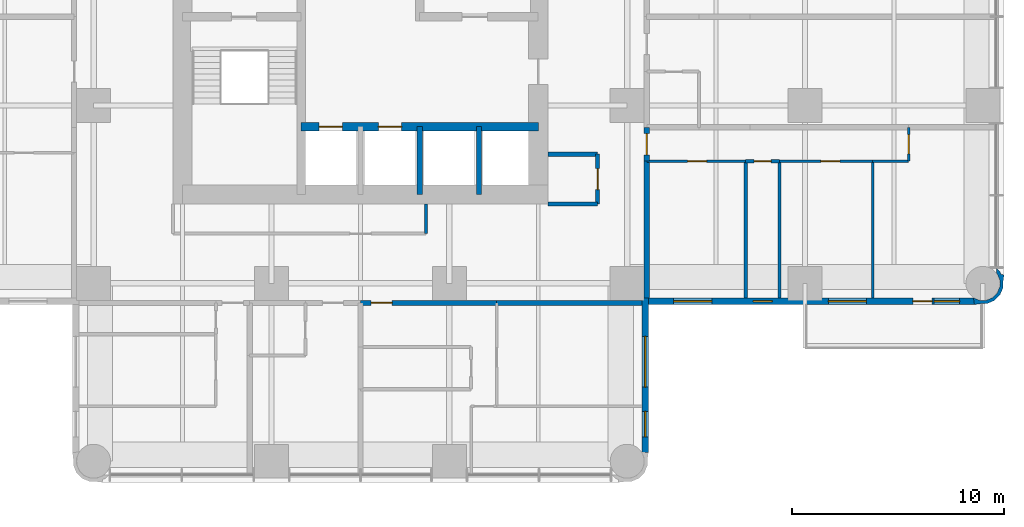
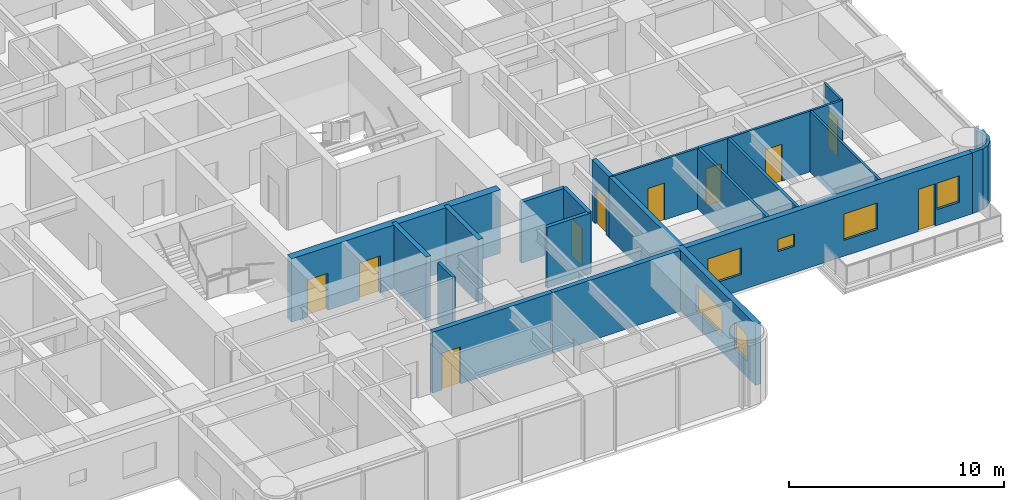
# One storey, part 9 of 14: 22 walls, 10 doors, 6 windows, 16 openings.
"""IFC4 building model written with IfcOpenShell, lengths in metres."""

from ifc_helpers import new_model, si_unit, direction, frame, frame_2d, origin, place, context, subcontext, project, spatial, polyline, rectangle, outline, extrude, material, layer, layer_set, type_object, element, fill, save


model = new_model("IFC4")

# Units and contexts
model_context = context("Model", 3, precision=1e-05, world=origin(), true_north=direction((0.0, 1.0)))
body_context = subcontext(model_context, "Body", "Model", "MODEL_VIEW")
ifc_project = project(units=[si_unit("LENGTHUNIT", "METRE"), si_unit("AREAUNIT", "SQUARE_METRE"), si_unit("VOLUMEUNIT", "CUBIC_METRE"), si_unit("PLANEANGLEUNIT", "RADIAN"), si_unit("MASSUNIT", "GRAM", prefix="KILO")], contexts=[model_context])

# Site, building, storey
site_placement = place(None, origin())
site = spatial("IfcSite", under=ifc_project, at=site_placement, CompositionType="ELEMENT")
building_placement = place(site_placement, origin())
building = spatial("IfcBuilding", under=site, at=building_placement, Name="Torre Alcanfor", CompositionType="ELEMENT")
storey_placement = place(building_placement, frame((0.0, 0.0, 162.89990234375)))
storey = spatial("IfcBuildingStorey", under=building, at=storey_placement, Name="L42", CompositionType="ELEMENT", Elevation=162.89990234375)

# Wall, opening, door
ifc_material_1 = material(Name="Concrete block masonry, hollow blocks NMX-C-404 9 MPa", Category="masonry")
ifc_layer_1 = layer(ifc_material_1, 0.25)
ifc_layer_set_1 = layer_set([ifc_layer_1], Name="Apartment entrance wall 250 EI 60")
wall_type_1 = type_object("IfcWallType", Name="Apartment entrance wall 250 EI 60", PredefinedType="PARTITIONING", material=ifc_layer_set_1)
wall_1_placement = place(storey_placement, frame((42.925048828125, 24.1708984375, 0.0), z_axis=(0.0, 0.0, 1.0), x_axis=(0.0, -1.0, 0.0)))
wall_1 = element("IfcWall", 1, at=wall_1_placement, inside=storey, type_object=wall_type_1, Name="Partition L42-CORR / L42-E2B-HALL", PredefinedType="PARTITIONING", context=body_context, shape_type="SweptSolid", body=[
    extrude(rectangle(XDim=1.599853515625, YDim=0.25, at=frame_2d((0.7998046875, 0.0))), origin(), (0.0, 0.0, 1.0), 3.4501953125),
])
opening_1_placement = place(wall_1_placement, frame((0.300048828125, 0.0, 0.0)))
opening_1 = element("IfcOpeningElement", 2, at=opening_1_placement, cuts=wall_1, Name="Opening D-A1", PredefinedType="OPENING", context=body_context, shape_type="SweptSolid", body=[
    extrude(rectangle(XDim=1.0, YDim=2.10009765625, at=frame_2d((0.5, 1.050048828125))), frame((0.0, 0.135009765625, 0.0), z_axis=(0.0, -1.0, 0.0), x_axis=(1.0, 0.0, 0.0)), (0.0, 0.0, 1.0), 0.27001953125),
])
ifc_material_2 = material(Name="Galvanised steel sheet ASTM A653", Category="steel")
door_type_1 = type_object("IfcDoorType", Name="Apartment entrance door FD60 1000x2100", OperationType="SINGLE_SWING_LEFT", PredefinedType="DOOR", material=ifc_material_2)
door_1_placement = place(opening_1_placement, origin())
door_1 = element("IfcDoor", 3, at=door_1_placement, inside=storey, type_object=door_type_1, Name="Apartment entrance L42-E2B", OperationType="SINGLE_SWING_LEFT", OverallHeight=2.10009765625, OverallWidth=1.0, PredefinedType="DOOR", context=body_context, shape_type="SweptSolid", body=[
    extrude(rectangle(XDim=1.0, YDim=2.10009765625, at=frame_2d((0.5, 1.050048828125))), frame((0.0, 0.02490234375, 0.0), z_axis=(0.0, -1.0, 0.0), x_axis=(1.0, 0.0, 0.0)), (0.0, 0.0, 1.0), 0.050048828125),
])
fill(opening_1, door_1)

# Wall
wall_2_placement = place(storey_placement, frame((42.925048828125, 22.571044921875, 0.0), z_axis=(0.0, 0.0, 1.0), x_axis=(0.0, -1.0, 0.0)))
element("IfcWall", 4, at=wall_2_placement, inside=storey, type_object=wall_type_1, Name="Partition L42-CORR / L42-E2B-MASTER", PredefinedType="PARTITIONING", context=body_context, shape_type="SweptSolid", body=[
    extrude(rectangle(XDim=6.470947265625, YDim=0.25, at=frame_2d((3.2353515625, 0.0))), origin(), (0.0, 0.0, 1.0), 3.4501953125),
])

# Wall, opening, door
wall_3_placement = place(storey_placement, frame((35.8291015625, 15.875, 0.0), z_axis=(0.0, 0.0, 1.0), x_axis=(-1.0, 0.0, 0.0)))
wall_3 = element("IfcWall", 5, at=wall_3_placement, inside=storey, type_object=wall_type_1, Name="Partition L42-CORR / L42-S1-LIVING", PredefinedType="PARTITIONING", context=body_context, shape_type="SweptSolid", body=[
    extrude(rectangle(XDim=6.42919921875, YDim=0.25, at=frame_2d((3.214599609375, 0.0))), origin(), (0.0, 0.0, 1.0), 3.4501953125),
])
opening_2_placement = place(wall_3_placement, frame((4.928955078125, 0.0, 0.0)))
opening_2 = element("IfcOpeningElement", 6, at=opening_2_placement, cuts=wall_3, Name="Opening D-A1", PredefinedType="OPENING", context=body_context, shape_type="SweptSolid", body=[
    extrude(rectangle(XDim=1.0, YDim=2.10009765625, at=frame_2d((0.5, 1.050048828125))), frame((0.0, 0.135009765625, 0.0), z_axis=(0.0, -1.0, 0.0), x_axis=(1.0, 0.0, 0.0)), (0.0, 0.0, 1.0), 0.27001953125),
])
door_2_placement = place(opening_2_placement, origin())
door_2 = element("IfcDoor", 7, at=door_2_placement, inside=storey, type_object=door_type_1, Name="Apartment entrance L42-S1", OperationType="SINGLE_SWING_RIGHT", OverallHeight=2.10009765625, OverallWidth=1.0, PredefinedType="DOOR", context=body_context, shape_type="SweptSolid", body=[
    extrude(rectangle(XDim=1.0, YDim=2.10009765625, at=frame_2d((0.5, 1.050048828125))), frame((0.0, 0.02490234375, 0.0), z_axis=(0.0, -1.0, 0.0), x_axis=(1.0, 0.0, 0.0)), (0.0, 0.0, 1.0), 0.050048828125),
])
fill(opening_2, door_2)

# Wall
wall_4_placement = place(storey_placement, frame((42.699951171875, 15.875, 0.0), z_axis=(0.0, 0.0, 1.0), x_axis=(-1.0, 0.0, 0.0)))
element("IfcWall", 8, at=wall_4_placement, inside=storey, type_object=wall_type_1, Name="Partition L42-CORR / L42-S1-BED2", PredefinedType="PARTITIONING", context=body_context, shape_type="SweptSolid", body=[
    extrude(rectangle(XDim=6.870849609375, YDim=0.25, at=frame_2d((3.435546875, 0.0))), origin(), (0.0, 0.0, 1.0), 3.4501953125),
])

# Wall, opening, door
ifc_material_3 = material(Name="Gypsum board on steel studs", Category="steel")
ifc_layer_2 = layer(ifc_material_3, 0.1201171875)
ifc_layer_set_2 = layer_set([ifc_layer_2], Name="Apartment partition 120")
wall_type_2 = type_object("IfcWallType", Name="Apartment partition 120", PredefinedType="PARTITIONING", material=ifc_layer_set_2)
wall_5_placement = place(storey_placement, frame((47.60009765625, 22.571044921875, 0.0), z_axis=(0.0, 0.0, 1.0), x_axis=(-1.0, 0.0, 0.0)))
wall_5 = element("IfcWall", 9, at=wall_5_placement, inside=storey, type_object=wall_type_2, Name="Partition L42-E2B-HALL / L42-E2B-MASTER", PredefinedType="PARTITIONING", context=body_context, shape_type="SweptSolid", body=[
    extrude(rectangle(XDim=4.675048828125, YDim=0.1201171875, at=frame_2d((2.33740234375, 0.0))), origin(), (0.0, 0.0, 1.0), 3.4501953125),
])
opening_3_placement = place(wall_5_placement, frame((1.85009765625, 0.0, 0.0)))
opening_3 = element("IfcOpeningElement", 10, at=opening_3_placement, cuts=wall_5, Name="Opening D-R1", PredefinedType="OPENING", context=body_context, shape_type="SweptSolid", body=[
    extrude(rectangle(XDim=0.89990234375, YDim=2.10009765625, at=frame_2d((0.449951171875, 1.050048828125))), frame((0.0, 0.070068359375, 0.0), z_axis=(0.0, -1.0, 0.0), x_axis=(1.0, 0.0, 0.0)), (0.0, 0.0, 1.0), 0.14013671875),
])
ifc_material_4 = material(Name="Timber", Category="wood")
door_type_2 = type_object("IfcDoorType", Name="Internal door 900x2100", OperationType="SINGLE_SWING_LEFT", PredefinedType="DOOR", material=ifc_material_4)
door_3_placement = place(opening_3_placement, origin())
door_3 = element("IfcDoor", 11, at=door_3_placement, inside=storey, type_object=door_type_2, Name="Door L42-E2B master", OperationType="SINGLE_SWING_LEFT", OverallHeight=2.10009765625, OverallWidth=0.89990234375, PredefinedType="DOOR", context=body_context, shape_type="SweptSolid", body=[
    extrude(rectangle(XDim=0.89990234375, YDim=2.10009765625, at=frame_2d((0.449951171875, 1.050048828125))), frame((0.0, 0.02490234375, 0.0), z_axis=(0.0, -1.0, 0.0), x_axis=(1.0, 0.0, 0.0)), (0.0, 0.0, 1.0), 0.050048828125),
])
fill(opening_3, door_3)

wall_6_placement = place(storey_placement, frame((53.60009765625, 22.571044921875, 0.0), z_axis=(0.0, 0.0, 1.0), x_axis=(-1.0, 0.0, 0.0)))
wall_6 = element("IfcWall", 12, at=wall_6_placement, inside=storey, type_object=wall_type_2, Name="Partition L42-E2B-HALL / L42-E2B-STUDY", PredefinedType="PARTITIONING", context=body_context, shape_type="SweptSolid", body=[
    extrude(rectangle(XDim=4.400146484375, YDim=0.1201171875, at=frame_2d((2.2001953125, 0.0))), origin(), (0.0, 0.0, 1.0), 3.4501953125),
])
opening_4_placement = place(wall_6_placement, frame((1.550048828125, 0.0, 0.0)))
opening_4 = element("IfcOpeningElement", 13, at=opening_4_placement, cuts=wall_6, Name="Opening D-R1", PredefinedType="OPENING", context=body_context, shape_type="SweptSolid", body=[
    extrude(rectangle(XDim=0.89990234375, YDim=2.10009765625, at=frame_2d((0.449951171875, 1.050048828125))), frame((0.0, 0.070068359375, 0.0), z_axis=(0.0, -1.0, 0.0), x_axis=(1.0, 0.0, 0.0)), (0.0, 0.0, 1.0), 0.14013671875),
])
door_4_placement = place(opening_4_placement, origin())
door_4 = element("IfcDoor", 14, at=door_4_placement, inside=storey, type_object=door_type_2, Name="Door L42-E2B study", OperationType="SINGLE_SWING_LEFT", OverallHeight=2.10009765625, OverallWidth=0.89990234375, PredefinedType="DOOR", context=body_context, shape_type="SweptSolid", body=[
    extrude(rectangle(XDim=0.89990234375, YDim=2.10009765625, at=frame_2d((0.449951171875, 1.050048828125))), frame((0.0, 0.02490234375, 0.0), z_axis=(0.0, -1.0, 0.0), x_axis=(1.0, 0.0, 0.0)), (0.0, 0.0, 1.0), 0.050048828125),
])
fill(opening_4, door_4)

# Wall
wall_7_placement = place(storey_placement, frame((55.300048828125, 22.571044921875, 0.0), z_axis=(0.0, 0.0, 1.0), x_axis=(-1.0, 0.0, 0.0)))
element("IfcWall", 15, at=wall_7_placement, inside=storey, type_object=wall_type_2, Name="Partition L42-E2B-HALL / L42-E2B-KITCHEN", PredefinedType="PARTITIONING", context=body_context, shape_type="SweptSolid", body=[
    extrude(rectangle(XDim=1.699951171875, YDim=0.1201171875, at=frame_2d((0.85009765625, 0.0))), origin(), (0.0, 0.0, 1.0), 3.4501953125),
])

# Wall, opening, door
wall_8_placement = place(storey_placement, frame((55.300048828125, 24.1708984375, 0.0), z_axis=(0.0, 0.0, 1.0), x_axis=(0.0, -1.0, 0.0)))
wall_8 = element("IfcWall", 16, at=wall_8_placement, inside=storey, type_object=wall_type_2, Name="Partition L42-E2B-HALL / L42-E2B-LIVING", PredefinedType="PARTITIONING", context=body_context, shape_type="SweptSolid", body=[
    extrude(rectangle(XDim=1.599853515625, YDim=0.1201171875, at=frame_2d((0.7998046875, 0.0))), origin(), (0.0, 0.0, 1.0), 3.4501953125),
])
opening_5_placement = place(wall_8_placement, frame((0.35009765625, 0.0, 0.0)))
opening_5 = element("IfcOpeningElement", 17, at=opening_5_placement, cuts=wall_8, Name="Opening D-R1", PredefinedType="OPENING", context=body_context, shape_type="SweptSolid", body=[
    extrude(rectangle(XDim=0.89990234375, YDim=2.10009765625, at=frame_2d((0.449951171875, 1.050048828125))), frame((0.0, 0.070068359375, 0.0), z_axis=(0.0, -1.0, 0.0), x_axis=(1.0, 0.0, 0.0)), (0.0, 0.0, 1.0), 0.14013671875),
])
door_5_placement = place(opening_5_placement, origin())
door_5 = element("IfcDoor", 18, at=door_5_placement, inside=storey, type_object=door_type_2, Name="Door L42-E2B living", OperationType="SINGLE_SWING_LEFT", OverallHeight=2.10009765625, OverallWidth=0.89990234375, PredefinedType="DOOR", context=body_context, shape_type="SweptSolid", body=[
    extrude(rectangle(XDim=0.89990234375, YDim=2.10009765625, at=frame_2d((0.449951171875, 1.050048828125))), frame((0.0, 0.02490234375, 0.0), z_axis=(0.0, -1.0, 0.0), x_axis=(1.0, 0.0, 0.0)), (0.0, 0.0, 1.0), 0.050048828125),
])
fill(opening_5, door_5)

# Wall
wall_9_placement = place(storey_placement, frame((53.60009765625, 22.571044921875, 0.0), z_axis=(0.0, 0.0, 1.0), x_axis=(0.0, -1.0, 0.0)))
element("IfcWall", 19, at=wall_9_placement, inside=storey, type_object=wall_type_2, Name="Partition L42-E2B-STUDY / L42-E2B-KITCHEN", PredefinedType="PARTITIONING", context=body_context, shape_type="SweptSolid", body=[
    extrude(rectangle(XDim=6.470947265625, YDim=0.1201171875, at=frame_2d((3.2353515625, 0.0))), origin(), (0.0, 0.0, 1.0), 3.4501953125),
])

# Wall, openings, doors
ifc_material_5 = material(Name="Concrete f'c 70 MPa", Category="concrete")
ifc_layer_3 = layer(ifc_material_5, 0.39990234375)
ifc_layer_set_3 = layer_set([ifc_layer_3], Name="Core inner wall 400 f'c70")
wall_type_3 = type_object("IfcWallType", Name="Core inner wall 400 f'c70", PredefinedType="SHEAR", material=ifc_layer_set_3)
wall_10_placement = place(storey_placement, frame((26.60009765625, 24.199951171875, 0.0), z_axis=(0.0, 0.0, 1.0), x_axis=(1.0, 0.0, 0.0)))
wall_10 = element("IfcWall", 20, at=wall_10_placement, inside=storey, type_object=wall_type_3, Name="Core wall Y242 L42", PredefinedType="SHEAR", context=body_context, shape_type="SweptSolid", body=[
    extrude(rectangle(XDim=11.199951171875, YDim=0.39990234375, at=frame_2d((5.60009765625, 0.0))), origin(), (0.0, 0.0, 1.0), 3.60009765625),
])
opening_6_placement = place(wall_10_placement, frame((0.85009765625, 0.0, 0.0)))
opening_6 = element("IfcOpeningElement", 21, at=opening_6_placement, cuts=wall_10, Name="Opening LD1", PredefinedType="OPENING", context=body_context, shape_type="SweptSolid", body=[
    extrude(rectangle(XDim=1.10009765625, YDim=2.10009765625, at=frame_2d((0.550048828125, 1.050048828125))), frame((0.0, 0.2099609375, 0.0), z_axis=(0.0, -1.0, 0.0), x_axis=(1.0, 0.0, 0.0)), (0.0, 0.0, 1.0), 0.419921875),
])
opening_7_placement = place(wall_10_placement, frame((3.64990234375, 0.0, 0.0)))
opening_7 = element("IfcOpeningElement", 22, at=opening_7_placement, cuts=wall_10, Name="Opening LD1", PredefinedType="OPENING", context=body_context, shape_type="SweptSolid", body=[
    extrude(rectangle(XDim=1.10009765625, YDim=2.10009765625, at=frame_2d((0.550048828125, 1.050048828125))), frame((0.0, 0.2099609375, 0.0), z_axis=(0.0, -1.0, 0.0), x_axis=(1.0, 0.0, 0.0)), (0.0, 0.0, 1.0), 0.419921875),
])
ifc_material_6 = material(Name="Galvanised steel sheet ASTM A653", Category="steel")
door_type_3 = type_object("IfcDoorType", Name="Lift landing door 1100x2100", OperationType="DOUBLE_DOOR_SLIDING", PredefinedType="DOOR", material=ifc_material_6)
door_6_placement = place(opening_6_placement, origin())
door_6 = element("IfcDoor", 23, at=door_6_placement, inside=storey, type_object=door_type_3, Name="Lift landing door PA1 L42", OperationType="DOUBLE_DOOR_SLIDING", OverallHeight=2.10009765625, OverallWidth=1.10009765625, PredefinedType="DOOR", context=body_context, shape_type="SweptSolid", body=[
    extrude(rectangle(XDim=1.10009765625, YDim=2.10009765625, at=frame_2d((0.550048828125, 1.050048828125))), frame((0.0, 0.02490234375, 0.0), z_axis=(0.0, -1.0, 0.0), x_axis=(1.0, 0.0, 0.0)), (0.0, 0.0, 1.0), 0.050048828125),
])
fill(opening_6, door_6)
door_7_placement = place(opening_7_placement, origin())
door_7 = element("IfcDoor", 24, at=door_7_placement, inside=storey, type_object=door_type_3, Name="Lift landing door PA2 L42", OperationType="DOUBLE_DOOR_SLIDING", OverallHeight=2.10009765625, OverallWidth=1.10009765625, PredefinedType="DOOR", context=body_context, shape_type="SweptSolid", body=[
    extrude(rectangle(XDim=1.10009765625, YDim=2.10009765625, at=frame_2d((0.550048828125, 1.050048828125))), frame((0.0, 0.02490234375, 0.0), z_axis=(0.0, -1.0, 0.0), x_axis=(1.0, 0.0, 0.0)), (0.0, 0.0, 1.0), 0.050048828125),
])
fill(opening_7, door_7)

# Walls
ifc_material_7 = material(Name="Concrete f'c 70 MPa", Category="concrete")
ifc_layer_4 = layer(ifc_material_7, 0.25)
ifc_layer_set_4 = layer_set([ifc_layer_4], Name="Core shaft wall 250 f'c70")
wall_type_4 = type_object("IfcWallType", Name="Core shaft wall 250 f'c70", PredefinedType="SHEAR", material=ifc_layer_set_4)
for number, where, z_axis, x_axis, name in (
    (25, (32.199951171875, 21.0, 0.0), (0.0, 0.0, 1.0), (0.0, 1.0, 0.0), "Core wall X322S L42"),
    (26, (35.0, 21.0, 0.0), (0.0, 0.0, 1.0), (0.0, 1.0, 0.0), "Core wall X350S L42"),
):
    element("IfcWall", number, at=place(storey_placement, frame(where, z_axis=z_axis, x_axis=x_axis)), inside=storey, type_object=wall_type_4, Name=name, PredefinedType="SHEAR", context=body_context, shape_type="SweptSolid", body=[
        extrude(rectangle(XDim=3.199951171875, YDim=0.25, at=frame_2d((1.60009765625, 0.0))), origin(), (0.0, 0.0, 1.0), 3.60009765625),
    ])

# Wall, openings, windows
ifc_material_8 = material(Name="Limestone cladding", Category="masonry")
ifc_layer_5 = layer(ifc_material_8, 0.0400390625, Name="Facing")
ifc_material_9 = material(Name="Ventilated air cavity")
ifc_layer_6 = layer(ifc_material_9, 0.02001953125, ventilated=True, Name="Ventilated joint")
ifc_material_10 = material(Name="Mineral wool insulation", Category="insulation")
ifc_layer_7 = layer(ifc_material_10, 0.10009765625, Name="Insulation")
ifc_material_11 = material(Name="Concrete f'c 35 MPa", Category="concrete")
ifc_layer_8 = layer(ifc_material_11, 0.139892578125, Name="Backing")
ifc_layer_set_5 = layer_set([ifc_layer_5, ifc_layer_6, ifc_layer_7, ifc_layer_8], Name="External wall stone-clad 300")
wall_type_5 = type_object("IfcWallType", Name="External wall stone-clad 300", PredefinedType="SOLIDWALL", material=ifc_layer_set_5)
wall_11_placement = place(storey_placement, frame((42.85009765625, 8.800048828125, 0.0), z_axis=(0.0, 0.0, 1.0), x_axis=(0.0, 1.0, 0.0)))
wall_11 = element("IfcWall", 27, at=wall_11_placement, inside=storey, type_object=wall_type_5, Name="External wall L42 6", PredefinedType="SOLIDWALL", context=body_context, shape_type="SweptSolid", body=[
    extrude(rectangle(XDim=7.300048828125, YDim=0.300048828125, at=frame_2d((3.64990234375, 0.0))), origin(), (0.0, 0.0, 1.0), 3.4501953125),
])
opening_8_placement = place(wall_11_placement, frame((3.10009765625, 0.0, 0.89990234375)))
opening_8 = element("IfcOpeningElement", 28, at=opening_8_placement, cuts=wall_11, Name="Opening W1", PredefinedType="OPENING", context=body_context, shape_type="SweptSolid", body=[
    extrude(rectangle(XDim=2.39990234375, YDim=1.5, at=frame_2d((1.199951171875, 0.75))), frame((0.0, 0.159912109375, 0.0), z_axis=(0.0, -1.0, 0.0), x_axis=(1.0, 0.0, 0.0)), (0.0, 0.0, 1.0), 0.320068359375),
])
opening_9_placement = place(wall_11_placement, frame((0.75, 0.0, 0.89990234375)))
opening_9 = element("IfcOpeningElement", 29, at=opening_9_placement, cuts=wall_11, Name="Opening W4", PredefinedType="OPENING", context=body_context, shape_type="SweptSolid", body=[
    extrude(rectangle(XDim=1.199951171875, YDim=1.5, at=frame_2d((0.60009765625, 0.75))), frame((0.0, 0.159912109375, 0.0), z_axis=(0.0, -1.0, 0.0), x_axis=(1.0, 0.0, 0.0)), (0.0, 0.0, 1.0), 0.320068359375),
])
ifc_material_12 = material(Name="Aluminium frame with clear double glazing", Category="aluminium")
window_type_1 = type_object("IfcWindowType", Name="Window bedroom 1200x1500", PartitioningType="SINGLE_PANEL", PredefinedType="WINDOW", material=ifc_material_12)
window_1_placement = place(opening_9_placement, origin())
window_1 = element("IfcWindow", 30, at=window_1_placement, inside=storey, type_object=window_type_1, Name="Window W4 L42-S1", OverallHeight=1.5, OverallWidth=1.199951171875, PartitioningType="SINGLE_PANEL", PredefinedType="WINDOW", context=body_context, shape_type="SweptSolid", body=[
    extrude(rectangle(XDim=1.199951171875, YDim=1.5, at=frame_2d((0.60009765625, 0.75))), frame((0.0, 0.030029296875, 0.0), z_axis=(0.0, -1.0, 0.0), x_axis=(1.0, 0.0, 0.0)), (0.0, 0.0, 1.0), 0.06005859375),
])
fill(opening_9, window_1)
ifc_material_13 = material(Name="Aluminium frame with clear double glazing", Category="aluminium")
window_type_2 = type_object("IfcWindowType", Name="Window bedroom 2400x1500", PartitioningType="SINGLE_PANEL", PredefinedType="WINDOW", material=ifc_material_13)
window_2_placement = place(opening_8_placement, origin())
window_2 = element("IfcWindow", 31, at=window_2_placement, inside=storey, type_object=window_type_2, Name="Window W1 L42-S1", OverallHeight=1.5, OverallWidth=2.39990234375, PartitioningType="SINGLE_PANEL", PredefinedType="WINDOW", context=body_context, shape_type="SweptSolid", body=[
    extrude(rectangle(XDim=2.39990234375, YDim=1.5, at=frame_2d((1.199951171875, 0.75))), frame((0.0, 0.030029296875, 0.0), z_axis=(0.0, -1.0, 0.0), x_axis=(1.0, 0.0, 0.0)), (0.0, 0.0, 1.0), 0.06005859375),
])
fill(opening_8, window_2)

# Wall, openings, door, windows
wall_12_placement = place(storey_placement, frame((43.0, 15.949951171875, 0.0), z_axis=(0.0, 0.0, 1.0), x_axis=(1.0, 0.0, 0.0)))
wall_12 = element("IfcWall", 32, at=wall_12_placement, inside=storey, type_object=wall_type_5, Name="External wall L42 7", PredefinedType="SOLIDWALL", context=body_context, shape_type="SweptSolid", body=[
    extrude(rectangle(XDim=15.39990234375, YDim=0.300048828125, at=frame_2d((7.699951171875, 0.0))), origin(), (0.0, 0.0, 1.0), 3.4501953125),
])
opening_10_placement = place(wall_12_placement, frame((1.199951171875, 0.0, 0.89990234375)))
opening_10 = element("IfcOpeningElement", 33, at=opening_10_placement, cuts=wall_12, Name="Opening W2", PredefinedType="OPENING", context=body_context, shape_type="SweptSolid", body=[
    extrude(rectangle(XDim=1.800048828125, YDim=1.5, at=frame_2d((0.89990234375, 0.75))), frame((0.0, 0.159912109375, 0.0), z_axis=(0.0, -1.0, 0.0), x_axis=(1.0, 0.0, 0.0)), (0.0, 0.0, 1.0), 0.320068359375),
])
opening_11_placement = place(wall_12_placement, frame((4.949951171875, 0.0, 1.5)))
opening_11 = element("IfcOpeningElement", 34, at=opening_11_placement, cuts=wall_12, Name="Opening W3", PredefinedType="OPENING", context=body_context, shape_type="SweptSolid", body=[
    extrude(rectangle(XDim=0.89990234375, YDim=0.699951171875, at=frame_2d((0.449951171875, 0.35009765625))), frame((0.0, 0.159912109375, 0.0), z_axis=(0.0, -1.0, 0.0), x_axis=(1.0, 0.0, 0.0)), (0.0, 0.0, 1.0), 0.320068359375),
])
opening_12_placement = place(wall_12_placement, frame((8.5, 0.0, 0.89990234375)))
opening_12 = element("IfcOpeningElement", 35, at=opening_12_placement, cuts=wall_12, Name="Opening W2", PredefinedType="OPENING", context=body_context, shape_type="SweptSolid", body=[
    extrude(rectangle(XDim=1.800048828125, YDim=1.5, at=frame_2d((0.89990234375, 0.75))), frame((0.0, 0.159912109375, 0.0), z_axis=(0.0, -1.0, 0.0), x_axis=(1.0, 0.0, 0.0)), (0.0, 0.0, 1.0), 0.320068359375),
])
opening_13_placement = place(wall_12_placement, frame((12.5, 0.0, 0.0)))
opening_13 = element("IfcOpeningElement", 36, at=opening_13_placement, cuts=wall_12, Name="Opening D-B1", PredefinedType="OPENING", context=body_context, shape_type="SweptSolid", body=[
    extrude(rectangle(XDim=0.89990234375, YDim=2.39990234375, at=frame_2d((0.449951171875, 1.199951171875))), frame((0.0, 0.159912109375, 0.0), z_axis=(0.0, -1.0, 0.0), x_axis=(1.0, 0.0, 0.0)), (0.0, 0.0, 1.0), 0.320068359375),
])
opening_14_placement = place(wall_12_placement, frame((13.5, 0.0, 0.89990234375)))
opening_14 = element("IfcOpeningElement", 37, at=opening_14_placement, cuts=wall_12, Name="Opening W4", PredefinedType="OPENING", context=body_context, shape_type="SweptSolid", body=[
    extrude(rectangle(XDim=1.199951171875, YDim=1.5, at=frame_2d((0.60009765625, 0.75))), frame((0.0, 0.159912109375, 0.0), z_axis=(0.0, -1.0, 0.0), x_axis=(1.0, 0.0, 0.0)), (0.0, 0.0, 1.0), 0.320068359375),
])
ifc_material_14 = material(Name="Aluminium and glass", Category="aluminium")
door_type_4 = type_object("IfcDoorType", Name="Balcony door glazed 900x2400", OperationType="SINGLE_SWING_LEFT", PredefinedType="DOOR", material=ifc_material_14)
door_8_placement = place(opening_13_placement, origin())
door_8 = element("IfcDoor", 38, at=door_8_placement, inside=storey, type_object=door_type_4, Name="Balcony door L42-E2", OperationType="SINGLE_SWING_LEFT", OverallHeight=2.39990234375, OverallWidth=0.89990234375, PredefinedType="DOOR", context=body_context, shape_type="SweptSolid", body=[
    extrude(rectangle(XDim=0.89990234375, YDim=2.39990234375, at=frame_2d((0.449951171875, 1.199951171875))), frame((0.0, 0.02490234375, 0.0), z_axis=(0.0, -1.0, 0.0), x_axis=(1.0, 0.0, 0.0)), (0.0, 0.0, 1.0), 0.050048828125),
])
fill(opening_13, door_8)
ifc_material_15 = material(Name="Aluminium frame with clear double glazing", Category="aluminium")
window_type_3 = type_object("IfcWindowType", Name="Window bathroom 900x700", PartitioningType="SINGLE_PANEL", PredefinedType="WINDOW", material=ifc_material_15)
window_3_placement = place(opening_11_placement, origin())
window_3 = element("IfcWindow", 39, at=window_3_placement, inside=storey, type_object=window_type_3, Name="Window W3 L42-E2", OverallHeight=0.699951171875, OverallWidth=0.89990234375, PartitioningType="SINGLE_PANEL", PredefinedType="WINDOW", context=body_context, shape_type="SweptSolid", body=[
    extrude(rectangle(XDim=0.89990234375, YDim=0.699951171875, at=frame_2d((0.449951171875, 0.35009765625))), frame((0.0, 0.030029296875, 0.0), z_axis=(0.0, -1.0, 0.0), x_axis=(1.0, 0.0, 0.0)), (0.0, 0.0, 1.0), 0.06005859375),
])
fill(opening_11, window_3)
window_4_placement = place(opening_14_placement, origin())
window_4 = element("IfcWindow", 40, at=window_4_placement, inside=storey, type_object=window_type_1, Name="Window W4 L42-E2", OverallHeight=1.5, OverallWidth=1.199951171875, PartitioningType="SINGLE_PANEL", PredefinedType="WINDOW", context=body_context, shape_type="SweptSolid", body=[
    extrude(rectangle(XDim=1.199951171875, YDim=1.5, at=frame_2d((0.60009765625, 0.75))), frame((0.0, 0.030029296875, 0.0), z_axis=(0.0, -1.0, 0.0), x_axis=(1.0, 0.0, 0.0)), (0.0, 0.0, 1.0), 0.06005859375),
])
fill(opening_14, window_4)
ifc_material_16 = material(Name="Aluminium frame with clear double glazing", Category="aluminium")
window_type_4 = type_object("IfcWindowType", Name="Window bedroom 1800x1500", PartitioningType="SINGLE_PANEL", PredefinedType="WINDOW", material=ifc_material_16)
window_5_placement = place(opening_10_placement, origin())
window_5 = element("IfcWindow", 41, at=window_5_placement, inside=storey, type_object=window_type_4, Name="Window W2 L42-E2", OverallHeight=1.5, OverallWidth=1.800048828125, PartitioningType="SINGLE_PANEL", PredefinedType="WINDOW", context=body_context, shape_type="SweptSolid", body=[
    extrude(rectangle(XDim=1.800048828125, YDim=1.5, at=frame_2d((0.89990234375, 0.75))), frame((0.0, 0.030029296875, 0.0), z_axis=(0.0, -1.0, 0.0), x_axis=(1.0, 0.0, 0.0)), (0.0, 0.0, 1.0), 0.06005859375),
])
fill(opening_10, window_5)
window_6_placement = place(opening_12_placement, origin())
window_6 = element("IfcWindow", 42, at=window_6_placement, inside=storey, type_object=window_type_4, Name="Window W2 L42-E2", OverallHeight=1.5, OverallWidth=1.800048828125, PartitioningType="SINGLE_PANEL", PredefinedType="WINDOW", context=body_context, shape_type="SweptSolid", body=[
    extrude(rectangle(XDim=1.800048828125, YDim=1.5, at=frame_2d((0.89990234375, 0.75))), frame((0.0, 0.030029296875, 0.0), z_axis=(0.0, -1.0, 0.0), x_axis=(1.0, 0.0, 0.0)), (0.0, 0.0, 1.0), 0.06005859375),
])
fill(opening_12, window_6)

# Wall
ifc_material_17 = material(Name="Concrete block masonry, hollow blocks NMX-C-404 9 MPa", Category="masonry")
ifc_layer_9 = layer(ifc_material_17, 0.199951171875)
ifc_layer_set_6 = layer_set([ifc_layer_9], Name="Plant room wall 200 EI 60")
wall_type_6 = type_object("IfcWallType", Name="Plant room wall 200 EI 60", PredefinedType="PARTITIONING", material=ifc_layer_set_6)
wall_13_placement = place(storey_placement, frame((38.25, 20.550048828125, 0.0), z_axis=(0.0, 0.0, 1.0), x_axis=(1.0, 0.0, 0.0)))
element("IfcWall", 43, at=wall_13_placement, inside=storey, type_object=wall_type_6, Name="Partition L42-CORR / L42-G02", PredefinedType="PARTITIONING", context=body_context, shape_type="SweptSolid", body=[
    extrude(rectangle(XDim=2.35009765625, YDim=0.199951171875, at=frame_2d((1.175048828125, 0.0))), origin(), (0.0, 0.0, 1.0), 3.4501953125),
])

# Wall, opening, door
wall_14_placement = place(storey_placement, frame((40.60009765625, 20.550048828125, 0.0), z_axis=(0.0, 0.0, 1.0), x_axis=(0.0, 1.0, 0.0)))
wall_14 = element("IfcWall", 44, at=wall_14_placement, inside=storey, type_object=wall_type_6, Name="Partition L42-CORR / L42-G02", PredefinedType="PARTITIONING", context=body_context, shape_type="SweptSolid", body=[
    extrude(rectangle(XDim=2.349853515625, YDim=0.199951171875, at=frame_2d((1.1748046875, 0.0))), origin(), (0.0, 0.0, 1.0), 3.4501953125),
])
opening_15_placement = place(wall_14_placement, frame((0.675048828125, 0.0, 0.0)))
opening_15 = element("IfcOpeningElement", 45, at=opening_15_placement, cuts=wall_14, Name="Opening D-K1", PredefinedType="OPENING", context=body_context, shape_type="SweptSolid", body=[
    extrude(rectangle(XDim=1.0, YDim=2.10009765625, at=frame_2d((0.5, 1.050048828125))), frame((0.0, 0.10986328125, 0.0), z_axis=(0.0, -1.0, 0.0), x_axis=(1.0, 0.0, 0.0)), (0.0, 0.0, 1.0), 0.219970703125),
])
ifc_material_18 = material(Name="Galvanised steel sheet ASTM A653", Category="steel")
door_type_5 = type_object("IfcDoorType", Name="Core room door FD60 1000x2100", OperationType="SINGLE_SWING_LEFT", PredefinedType="DOOR", material=ifc_material_18)
door_9_placement = place(opening_15_placement, origin())
door_9 = element("IfcDoor", 46, at=door_9_placement, inside=storey, type_object=door_type_5, Name="Door L42-G02 refuse and recycling store", OperationType="SINGLE_SWING_LEFT", OverallHeight=2.10009765625, OverallWidth=1.0, PredefinedType="DOOR", context=body_context, shape_type="SweptSolid", body=[
    extrude(rectangle(XDim=1.0, YDim=2.10009765625, at=frame_2d((0.5, 1.050048828125))), frame((0.0, 0.02490234375, 0.0), z_axis=(0.0, -1.0, 0.0), x_axis=(1.0, 0.0, 0.0)), (0.0, 0.0, 1.0), 0.050048828125),
])
fill(opening_15, door_9)

# Walls
wall_15_placement = place(storey_placement, frame((40.60009765625, 22.89990234375, 0.0), z_axis=(0.0, 0.0, 1.0), x_axis=(-1.0, 0.0, 0.0)))
element("IfcWall", 47, at=wall_15_placement, inside=storey, type_object=wall_type_6, Name="Partition L42-CORR / L42-G02", PredefinedType="PARTITIONING", context=body_context, shape_type="SweptSolid", body=[
    extrude(rectangle(XDim=2.35009765625, YDim=0.199951171875, at=frame_2d((1.175048828125, 0.0))), origin(), (0.0, 0.0, 1.0), 3.4501953125),
])
ifc_material_19 = material(Name="Concrete block masonry, hollow blocks NMX-C-404 9 MPa", Category="masonry")
ifc_layer_10 = layer(ifc_material_19, 0.14990234375)
ifc_layer_set_7 = layer_set([ifc_layer_10], Name="Residents' room partition 150")
wall_type_7 = type_object("IfcWallType", Name="Residents' room partition 150", PredefinedType="PARTITIONING", material=ifc_layer_set_7)
wall_16_placement = place(storey_placement, frame((32.5, 19.14990234375, 0.0), z_axis=(0.0, 0.0, 1.0), x_axis=(0.0, 1.0, 0.0)))
element("IfcWall", 48, at=wall_16_placement, inside=storey, type_object=wall_type_7, Name="Partition L42-CORR / L42-G04", PredefinedType="PARTITIONING", context=body_context, shape_type="SweptSolid", body=[
    extrude(rectangle(XDim=1.400146484375, YDim=0.14990234375, at=frame_2d((0.7001953125, 0.0))), origin(), (0.0, 0.0, 1.0), 3.4501953125),
])
ifc_layer_11 = layer(ifc_material_8, 0.0400390625, Name="Facing")
ifc_layer_12 = layer(ifc_material_9, 0.02001953125, ventilated=True, Name="Ventilated joint")
ifc_layer_13 = layer(ifc_material_10, 0.10009765625, Name="Insulation")
ifc_layer_14 = layer(ifc_material_11, 0.139892578125, Name="Backing")
ifc_layer_set_8 = layer_set([ifc_layer_11, ifc_layer_12, ifc_layer_13, ifc_layer_14], Name="Rounded corner pier stone-clad 300")
wall_type_8 = type_object("IfcWallType", Name="Rounded corner pier stone-clad 300", PredefinedType="SOLIDWALL", material=ifc_layer_set_8)
wall_17_placement = place(storey_placement, frame((58.473176205, 15.982940512, 0.0), z_axis=(0.0, 0.0, 1.0), x_axis=(0.93923434088, -0.343276641956, 0.0)))
element("IfcWall", 49, at=wall_17_placement, inside=storey, type_object=wall_type_8, Name="Corner pier L42 17", PredefinedType="SOLIDWALL", context=body_context, shape_type="SweptSolid", body=[
    extrude(outline(polyline([(0.8284730010654036, 1.5985425833407376), (0.696550254150438, 1.5690420941096577), (0.604150309609554, 1.6696580493968027), (0.3940514645210207, 1.7672868618913617), (0.47123842429676593, 1.5560967183488668), (0.5084988752141064, 1.538782517623304), (0.7242236800575332, 1.304144262222244), (0.8335928250166512, 1.004900899222292), (0.8200123708562836, 0.6864548699061994), (0.6857181921193565, 0.39745154052212156), (0.4509961289443815, 0.18195604093769838), (0.15175276594442946, 0.07258689597858048), (-0.11627514476265094, 0.08405951949541965), (-0.12738305855443924, 0.07818018621272643), (-0.1459567845337466, 0.07139175652560875), (-0.006038883692560254, -0.1969313551897346), (0.2657016888450987, -0.05498461418889633), (0.5353646734335612, 0.04357332793518234), (0.8165937238928549, 0.3018001061266741), (0.9775139424010254, 0.6481031205348973), (0.9937655592370759, 1.0296500763704852), (0.8951238093390822, 1.2995423662179517), (0.8284730010654036, 1.5985425833407376)])), origin(), (0.0, 0.0, 1.0), 3.4501953125),
])

# Wall, opening, door
ifc_material_20 = material(Name="Cement board on steel studs", Category="steel")
ifc_layer_15 = layer(ifc_material_20, 0.14990234375)
ifc_layer_set_9 = layer_set([ifc_layer_15], Name="Wet area partition 150")
wall_type_9 = type_object("IfcWallType", Name="Wet area partition 150", PredefinedType="PARTITIONING", material=ifc_layer_set_9)
wall_18_placement = place(storey_placement, frame((49.199951171875, 22.571044921875, 0.0), z_axis=(0.0, 0.0, 1.0), x_axis=(-1.0, 0.0, 0.0)))
wall_18 = element("IfcWall", 50, at=wall_18_placement, inside=storey, type_object=wall_type_9, Name="Partition L42-E2B-HALL / L42-E2B-BATH", PredefinedType="PARTITIONING", context=body_context, shape_type="SweptSolid", body=[
    extrude(rectangle(XDim=1.599853515625, YDim=0.14990234375, at=frame_2d((0.7998046875, 0.0))), origin(), (0.0, 0.0, 1.0), 3.4501953125),
])
opening_16_placement = place(wall_18_placement, frame((0.39990234375, 0.0, 0.0)))
opening_16 = element("IfcOpeningElement", 51, at=opening_16_placement, cuts=wall_18, Name="Opening D-R2", PredefinedType="OPENING", context=body_context, shape_type="SweptSolid", body=[
    extrude(rectangle(XDim=0.800048828125, YDim=2.10009765625, at=frame_2d((0.39990234375, 1.050048828125))), frame((0.0, 0.0849609375, 0.0), z_axis=(0.0, -1.0, 0.0), x_axis=(1.0, 0.0, 0.0)), (0.0, 0.0, 1.0), 0.169921875),
])
ifc_material_21 = material(Name="Timber", Category="wood")
door_type_6 = type_object("IfcDoorType", Name="Bathroom door 800x2100", OperationType="SINGLE_SWING_LEFT", PredefinedType="DOOR", material=ifc_material_21)
door_10_placement = place(opening_16_placement, origin())
door_10 = element("IfcDoor", 52, at=door_10_placement, inside=storey, type_object=door_type_6, Name="Door L42-E2B bath", OperationType="SINGLE_SWING_LEFT", OverallHeight=2.10009765625, OverallWidth=0.800048828125, PredefinedType="DOOR", context=body_context, shape_type="SweptSolid", body=[
    extrude(rectangle(XDim=0.800048828125, YDim=2.10009765625, at=frame_2d((0.39990234375, 1.050048828125))), frame((0.0, 0.02490234375, 0.0), z_axis=(0.0, -1.0, 0.0), x_axis=(1.0, 0.0, 0.0)), (0.0, 0.0, 1.0), 0.050048828125),
])
fill(opening_16, door_10)

# Walls
for number, where, z_axis, x_axis, name in (
    (53, (47.60009765625, 22.571044921875, 0.0), (0.0, 0.0, 1.0), (0.0, -1.0, 0.0), "Partition L42-E2B-MASTER / L42-E2B-BATH"),
    (54, (49.199951171875, 22.571044921875, 0.0), (0.0, 0.0, 1.0), (0.0, -1.0, 0.0), "Partition L42-E2B-BATH / L42-E2B-STUDY"),
):
    element("IfcWall", number, at=place(storey_placement, frame(where, z_axis=z_axis, x_axis=x_axis)), inside=storey, type_object=wall_type_9, Name=name, PredefinedType="PARTITIONING", context=body_context, shape_type="SweptSolid", body=[
        extrude(rectangle(XDim=6.470947265625, YDim=0.14990234375, at=frame_2d((3.2353515625, 0.0))), origin(), (0.0, 0.0, 1.0), 3.4501953125),
    ])

save(model, "model.ifc")
